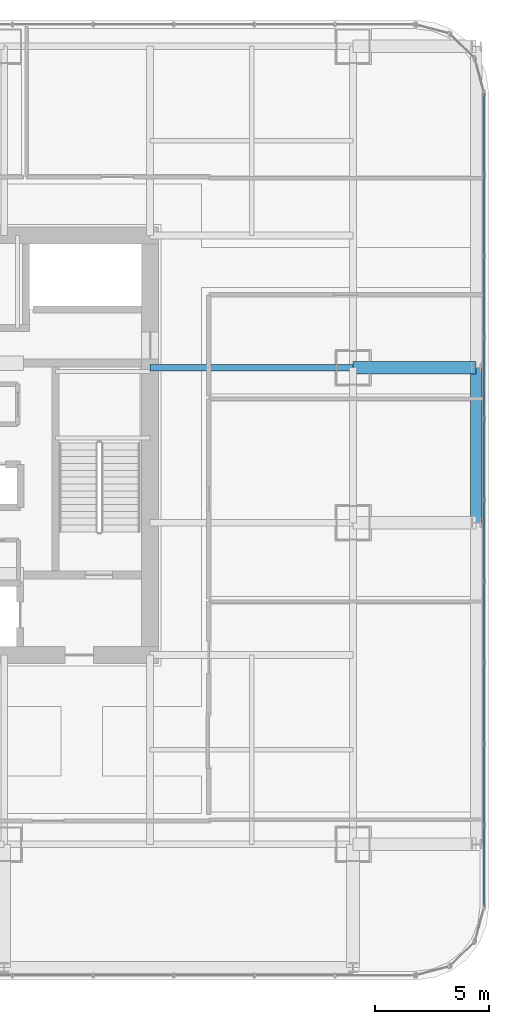
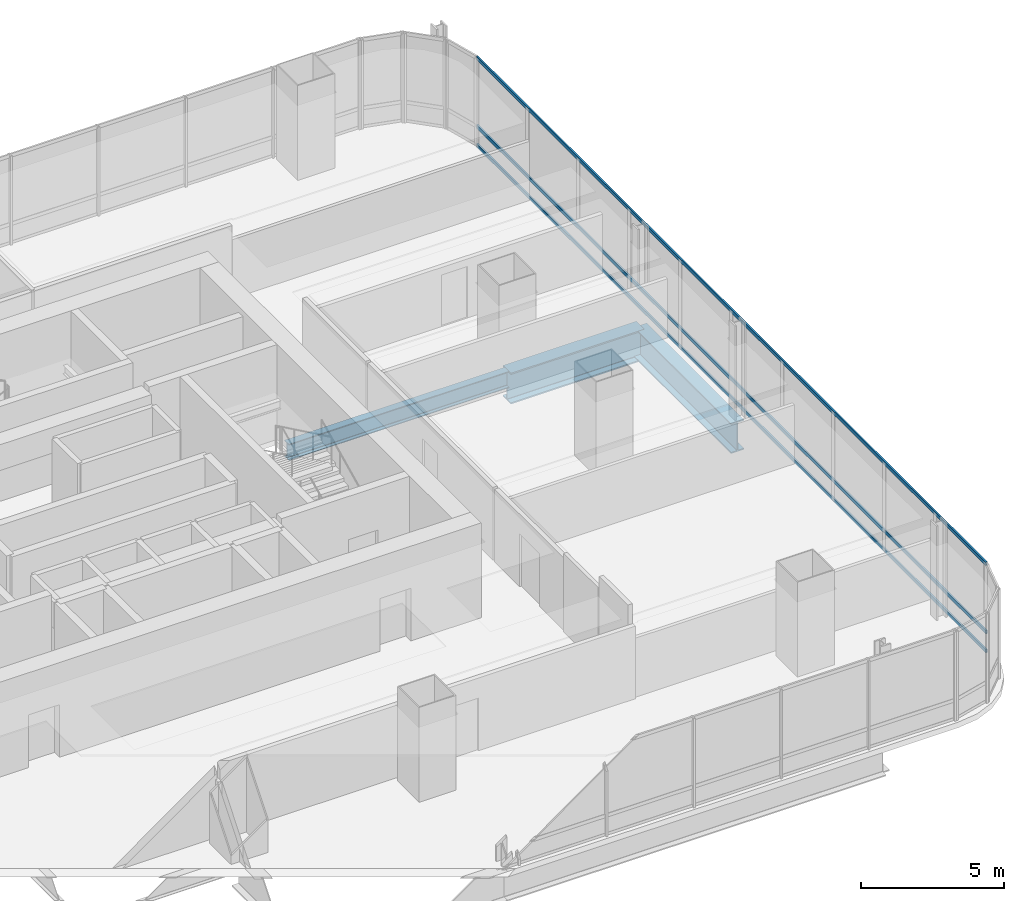
# One storey, part 16 of 35: 3 beams, 3 members, 1 element without a shape of its own.
"""IFC4 building model written with IfcOpenShell, lengths in metres."""

from ifc_helpers import new_model, si_unit, direction, frame, origin, origin_2d, place, context, subcontext, project, spatial, hollow_rectangle, i_section, extrude, material, material_profile, profile_set, type_object, element, aggregate, save


model = new_model("IFC4")

# Units and contexts
model_context = context("Model", 3, precision=1e-05, world=origin(), true_north=direction((0.0, 1.0)))
body_context = subcontext(model_context, "Body", "Model", "MODEL_VIEW")
ifc_project = project(units=[si_unit("LENGTHUNIT", "METRE"), si_unit("AREAUNIT", "SQUARE_METRE"), si_unit("VOLUMEUNIT", "CUBIC_METRE"), si_unit("PLANEANGLEUNIT", "RADIAN"), si_unit("MASSUNIT", "GRAM", prefix="KILO")], contexts=[model_context])

# Site, building, storey
site_placement = place(None, origin())
site = spatial("IfcSite", under=ifc_project, at=site_placement, CompositionType="ELEMENT")
building_placement = place(site_placement, origin())
building = spatial("IfcBuilding", under=site, at=building_placement, Name="Punatoya Terracotta Tower", CompositionType="ELEMENT")
storey_placement = place(building_placement, frame((0.0, 0.0, 72.75)))
storey = spatial("IfcBuildingStorey", under=building, at=storey_placement, Name="L16", CompositionType="ELEMENT", Elevation=72.75)

# Beams
ifc_material_1 = material(Name="Steel S355", Category="steel")
ifc_material_profile_1 = material_profile(ifc_material_1, i_section(OverallWidth=0.300048828125, OverallDepth=0.699951171875, WebThickness=0.01708984375, FlangeThickness=0.031982421875, FilletRadius=0.01806640625, at=origin_2d()))
ifc_profile_set_1 = profile_set([ifc_material_profile_1], Name="Steel S355")
beam_type_1 = type_object("IfcBeamType", Name="BM-PRI-700", PredefinedType="BEAM", material=ifc_profile_set_1)
beam_1_placement = place(storey_placement, frame((10.199951171875, 3.39990234375, -0.590087890625), z_axis=(1.0, 0.0, 0.0), x_axis=(0.0, 1.0, 0.0)))
element("IfcBeam", 1, at=beam_1_placement, inside=storey, type_object=beam_type_1, Name="BM-L16-PR-EE", PredefinedType="BEAM", context=body_context, shape_type="SweptSolid", body=[
    extrude(i_section(OverallWidth=0.300048828125, OverallDepth=0.699951171875, WebThickness=0.01708984375, FlangeThickness=0.031982421875, FilletRadius=0.01806640625, at=origin_2d()), origin(), (0.0, 0.0, 1.0), 8.900146484375),
])
ifc_material_2 = material(Name="Steel S460", Category="steel")
ifc_material_profile_2 = material_profile(ifc_material_2, i_section(OverallWidth=0.56005859375, OverallDepth=1.320068359375, WebThickness=0.035888671875, FlangeThickness=0.054931640625, FilletRadius=0.01806640625, at=origin_2d()))
ifc_profile_set_2 = profile_set([ifc_material_profile_2], Name="Steel S460")
beam_type_2 = type_object("IfcBeamType", Name="BM-TG-BLK", PredefinedType="BEAM", material=ifc_profile_set_2)
beam_2_placement = place(storey_placement, frame((19.10009765625, 3.39990234375, -0.89990234375), z_axis=(1.0, 0.0, 0.0), x_axis=(0.0, 1.0, 0.0)))
element("IfcBeam", 2, at=beam_2_placement, inside=storey, type_object=beam_type_2, Name="BM-L16-CANT-E3", PredefinedType="BEAM", context=body_context, shape_type="SweptSolid", body=[
    extrude(i_section(OverallWidth=0.56005859375, OverallDepth=1.320068359375, WebThickness=0.035888671875, FlangeThickness=0.054931640625, FilletRadius=0.01806640625, at=origin_2d()), origin(), (0.0, 0.0, 1.0), 5.39990234375),
])
ifc_material_profile_3 = material_profile(ifc_material_2, i_section(OverallWidth=0.52001953125, OverallDepth=1.280029296875, WebThickness=0.031982421875, FlangeThickness=0.050048828125, FilletRadius=0.01806640625, at=origin_2d()))
ifc_profile_set_3 = profile_set([ifc_material_profile_3], Name="Steel S460")
beam_type_3 = type_object("IfcBeamType", Name="BM-TG-NCK", PredefinedType="BEAM", material=ifc_profile_set_3)
beam_3_placement = place(storey_placement, frame((24.5, -3.39990234375, -0.8798828125), z_axis=(0.0, 1.0, 0.0), x_axis=(-1.0, 0.0, 0.0)))
element("IfcBeam", 3, at=beam_3_placement, inside=storey, type_object=beam_type_3, Name="BM-L16-PER-E2", PredefinedType="BEAM", context=body_context, shape_type="SweptSolid", body=[
    extrude(i_section(OverallWidth=0.52001953125, OverallDepth=1.280029296875, WebThickness=0.031982421875, FlangeThickness=0.050048828125, FilletRadius=0.01806640625, at=origin_2d()), origin(), (0.0, 0.0, 1.0), 6.7998046875),
])

# Curtain wall, members
ifc_material_3 = material(Name="Aluminium 6063-T6 + Double Low-E Glass", Category="aluminium")
curtain_wall_type = type_object("IfcCurtainWallType", Name="CW-M1", PredefinedType="NOTDEFINED", material=ifc_material_3)
curtain_wall_placement = place(storey_placement, origin())
curtain_wall = element("IfcCurtainWall", 4, at=curtain_wall_placement, inside=storey, type_object=curtain_wall_type, Name="L16 Curtain Wall CW-L16-E05-1", PredefinedType="NOTDEFINED")
ifc_material_4 = material(Name="Aluminium 6063-T6", Category="aluminium")
ifc_material_profile_4 = material_profile(ifc_material_4, hollow_rectangle(XDim=0.068115234375, YDim=0.14990234375, WallThickness=0.00390625, at=origin_2d()))
ifc_profile_set_4 = profile_set([ifc_material_profile_4], Name="Aluminium 6063-T6")
member_type = type_object("IfcMemberType", Name="CW-TRN-TYP", PredefinedType="USERDEFINED", material=ifc_profile_set_4)
member_1_placement = place(storey_placement, frame((24.85009765625, -20.23681640625, 0.0400390625), z_axis=(0.0, 1.0, 0.0), x_axis=(-1.0, 0.0, 0.0)))
member_1 = element("IfcMember", 5, at=member_1_placement, type_object=member_type, Name="CW-L16-E05-1 Transom 1", ObjectType="TRANSOM", PredefinedType="USERDEFINED", context=body_context, shape_type="SweptSolid", body=[
    extrude(hollow_rectangle(XDim=0.068115234375, YDim=0.14990234375, WallThickness=0.00390625, at=origin_2d()), origin(), (0.0, 0.0, 1.0), 35.673828125),
])
member_2_placement = place(storey_placement, frame((24.85009765625, -20.23681640625, 0.85009765625), z_axis=(0.0, 1.0, 0.0), x_axis=(-1.0, 0.0, 0.0)))
member_2 = element("IfcMember", 6, at=member_2_placement, type_object=member_type, Name="CW-L16-E05-1 Transom 2", ObjectType="TRANSOM", PredefinedType="USERDEFINED", context=body_context, shape_type="SweptSolid", body=[
    extrude(hollow_rectangle(XDim=0.068115234375, YDim=0.14990234375, WallThickness=0.00390625, at=origin_2d()), origin(), (0.0, 0.0, 1.0), 35.673828125),
])
member_3_placement = place(storey_placement, frame((24.85009765625, -20.23681640625, 3.77001953125), z_axis=(0.0, 1.0, 0.0), x_axis=(-1.0, 0.0, 0.0)))
member_3 = element("IfcMember", 7, at=member_3_placement, type_object=member_type, Name="CW-L16-E05-1 Transom 3", ObjectType="TRANSOM", PredefinedType="USERDEFINED", context=body_context, shape_type="SweptSolid", body=[
    extrude(hollow_rectangle(XDim=0.068115234375, YDim=0.14990234375, WallThickness=0.00390625, at=origin_2d()), origin(), (0.0, 0.0, 1.0), 35.673828125),
])
aggregate(curtain_wall, [member_1, member_2, member_3])

save(model, "model.ifc")
